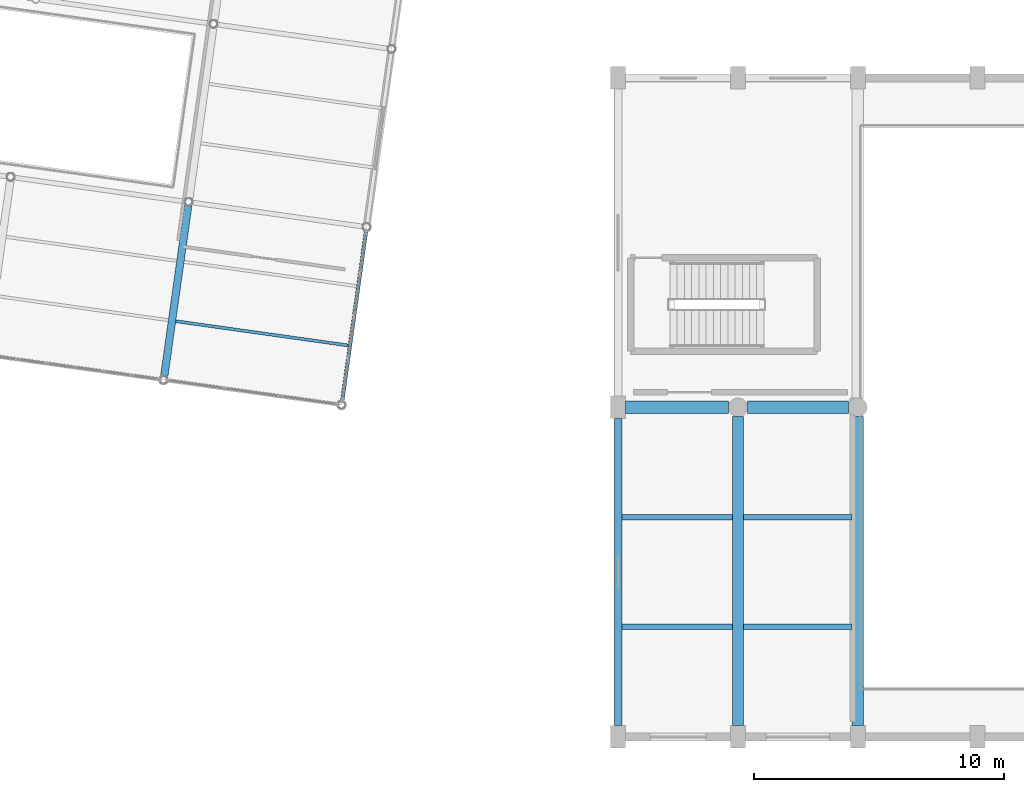
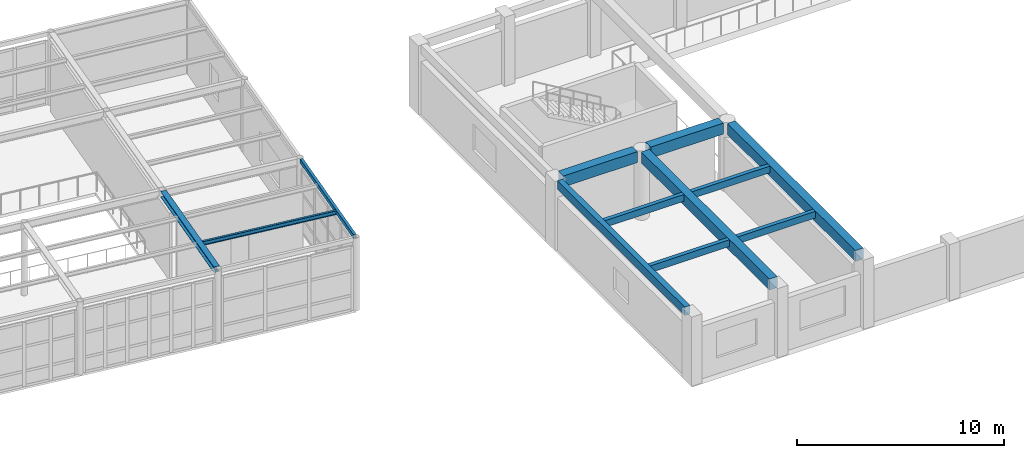
# One storey, part 34 of 80: 12 beams.
"""IFC4 building model written with IfcOpenShell, lengths in metres."""

from ifc_helpers import new_model, si_unit, direction, frame, origin, origin_2d, place, context, subcontext, project, spatial, rectangle, hollow_rectangle, i_section, extrude, material, material_profile, profile_set, type_object, element, save


model = new_model("IFC4")

# Units and contexts
model_context = context("Model", 3, precision=1e-05, world=origin(), true_north=direction((0.0, 1.0)))
body_context = subcontext(model_context, "Body", "Model", "MODEL_VIEW")
ifc_project = project(units=[si_unit("LENGTHUNIT", "METRE"), si_unit("AREAUNIT", "SQUARE_METRE"), si_unit("VOLUMEUNIT", "CUBIC_METRE"), si_unit("PLANEANGLEUNIT", "RADIAN"), si_unit("MASSUNIT", "GRAM", prefix="KILO")], contexts=[model_context])

# Site, building, storey
site_placement = place(None, origin())
site = spatial("IfcSite", under=ifc_project, at=site_placement, CompositionType="ELEMENT")
building_placement = place(site_placement, origin())
building = spatial("IfcBuilding", under=site, at=building_placement, Name="Kharisveld Research Institute", CompositionType="ELEMENT")
storey_placement = place(building_placement, frame((0.0, 0.0, 5.10009765625)))
storey = spatial("IfcBuildingStorey", under=building, at=storey_placement, Name="L01", CompositionType="ELEMENT", Elevation=5.10009765625)

# Beams
ifc_material_1 = material(Name="Concrete C40/50", Category="concrete")
ifc_material_profile_1 = material_profile(ifc_material_1, rectangle(XDim=0.449951171875, YDim=0.64990234375, at=origin_2d()))
ifc_profile_set_1 = profile_set([ifc_material_profile_1], Name="Concrete C40/50")
beam_type_1 = type_object("IfcBeamType", Name="BM_RC_450x650", PredefinedType="BEAM", material=ifc_profile_set_1)
for number, where, z_axis, x_axis, name in (
    (1, (119.39990234375, 0.64990234375, 3.7548828125), (0.0, 1.0, 0.0), (-1.0, 0.0, 0.0), "BM:V5:L01:V1_0"),
    (2, (124.199951171875, 0.64990234375, 3.7548828125), (0.0, 1.0, 0.0), (-1.0, 0.0, 0.0), "BM:V5:L01:V2_0"),
):
    element("IfcBeam", number, at=place(storey_placement, frame(where, z_axis=z_axis, x_axis=x_axis)), inside=storey, type_object=beam_type_1, Name=name, PredefinedType="BEAM", context=body_context, shape_type="SweptSolid", body=[
        extrude(rectangle(XDim=0.449951171875, YDim=0.64990234375, at=origin_2d()), origin(), (0.0, 0.0, 1.0), 12.375),
    ])
ifc_material_2 = material(Name="Concrete C40/50", Category="concrete")
ifc_material_profile_2 = material_profile(ifc_material_2, rectangle(XDim=0.5, YDim=0.64990234375, at=origin_2d()))
ifc_profile_set_2 = profile_set([ifc_material_profile_2], Name="Concrete C40/50")
beam_type_2 = type_object("IfcBeamType", Name="BM_RC_500x650", PredefinedType="BEAM", material=ifc_profile_set_2)
beam_1_placement = place(storey_placement, frame((114.89990234375, 13.39990234375, 3.7548828125), z_axis=(1.0, 0.0, 0.0), x_axis=(0.0, 1.0, 0.0)))
element("IfcBeam", 3, at=beam_1_placement, inside=storey, type_object=beam_type_2, Name="BM:V5:L01:U0_1", PredefinedType="BEAM", context=body_context, shape_type="SweptSolid", body=[
    extrude(rectangle(XDim=0.5, YDim=0.64990234375, at=origin_2d()), origin(), (0.0, 0.0, 1.0), 4.125),
])
beam_2_placement = place(storey_placement, frame((119.77490234375, 13.39990234375, 3.7548828125), z_axis=(1.0, 0.0, 0.0), x_axis=(0.0, 1.0, 0.0)))
element("IfcBeam", 4, at=beam_2_placement, inside=storey, type_object=beam_type_2, Name="BM:V5:L01:U1_1", PredefinedType="BEAM", context=body_context, shape_type="SweptSolid", body=[
    extrude(rectangle(XDim=0.5, YDim=0.64990234375, at=origin_2d()), origin(), (0.0, 0.0, 1.0), 4.050048828125),
])
ifc_material_3 = material(Name="Steel S355JR", Category="steel")
ifc_material_profile_3 = material_profile(ifc_material_3, i_section(OverallWidth=0.300048828125, OverallDepth=0.340087890625, WebThickness=0.011962890625, FlangeThickness=0.021484375, at=origin_2d()))
ifc_profile_set_3 = profile_set([ifc_material_profile_3], Name="Steel S355JR")
beam_type_3 = type_object("IfcBeamType", Name="BM_ST_HEA300", PredefinedType="BEAM", material=ifc_profile_set_3)
beam_3_placement = place(storey_placement, frame((96.412353515625, 14.654296875, 4.139892578125), z_axis=(0.139184107758, 0.990266521775, 0.0), x_axis=(-0.990266521775, 0.139184107758, 0.0)))
element("IfcBeam", 5, at=beam_3_placement, inside=storey, type_object=beam_type_3, Name="BM:V4:L01:V3_0", PredefinedType="BEAM", context=body_context, shape_type="SweptSolid", body=[
    extrude(i_section(OverallWidth=0.300048828125, OverallDepth=0.340087890625, WebThickness=0.011962890625, FlangeThickness=0.021484375, at=origin_2d()), origin(), (0.0, 0.0, 1.0), 6.8759765625),
])
ifc_material_4 = material(Name="Steel S355JR", Category="steel")
ifc_material_profile_4 = material_profile(ifc_material_4, i_section(OverallWidth=0.1201171875, OverallDepth=0.239990234375, WebThickness=0.006103515625, FlangeThickness=0.009765625, at=origin_2d()))
ifc_profile_set_4 = profile_set([ifc_material_profile_4], Name="Steel S355JR")
beam_type_4 = type_object("IfcBeamType", Name="JS_ST_IPE240", PredefinedType="JOIST", material=ifc_profile_set_4)
beam_4_placement = place(storey_placement, frame((96.872314453125, 16.849609375, 4.18994140625), z_axis=(0.990268943271, -0.139166878215, 0.0), x_axis=(0.139166878215, 0.990268943271, 0.0)))
element("IfcBeam", 6, at=beam_4_placement, inside=storey, type_object=beam_type_4, Name="BM:V4:L01:J_3_0_R1", PredefinedType="JOIST", context=body_context, shape_type="SweptSolid", body=[
    extrude(i_section(OverallWidth=0.1201171875, OverallDepth=0.239990234375, WebThickness=0.006103515625, FlangeThickness=0.009765625, at=origin_2d()), origin(), (0.0, 0.0, 1.0), 6.97509765625),
])
ifc_material_5 = material(Name="Concrete C40/50", Category="concrete")
ifc_material_profile_5 = material_profile(ifc_material_5, rectangle(XDim=0.300048828125, YDim=0.5, at=origin_2d()))
ifc_profile_set_5 = profile_set([ifc_material_profile_5], Name="Concrete C40/50")
beam_type_5 = type_object("IfcBeamType", Name="SP_RC_300x500", PredefinedType="SPANDREL", material=ifc_profile_set_5)
beam_5_placement = place(storey_placement, frame((114.60009765625, 0.64990234375, 3.829833984375), z_axis=(0.0, 1.0, 0.0), x_axis=(-1.0, 0.0, 0.0)))
element("IfcBeam", 7, at=beam_5_placement, inside=storey, type_object=beam_type_5, Name="BM:V5:L01:V0_0", PredefinedType="SPANDREL", context=body_context, shape_type="SweptSolid", body=[
    extrude(rectangle(XDim=0.300048828125, YDim=0.5, at=origin_2d()), origin(), (0.0, 0.0, 1.0), 12.300048828125),
])
ifc_material_6 = material(Name="Steel S355J2H", Category="steel")
ifc_material_profile_6 = material_profile(ifc_material_6, hollow_rectangle(XDim=0.14990234375, YDim=0.25, WallThickness=0.010009765625, at=origin_2d()))
ifc_profile_set_6 = profile_set([ifc_material_profile_6], Name="Steel S355J2H")
beam_type_6 = type_object("IfcBeamType", Name="SP_ST_RHS250", PredefinedType="SPANDREL", material=ifc_profile_set_6)
beam_6_placement = place(storey_placement, frame((103.542236328125, 13.652099609375, 4.184814453125), z_axis=(0.139179214138, 0.990267209571, 0.0), x_axis=(-0.990267209571, 0.139179214138, 0.0)))
element("IfcBeam", 8, at=beam_6_placement, inside=storey, type_object=beam_type_6, Name="BM:V4:L01:V4_0", PredefinedType="SPANDREL", context=body_context, shape_type="SweptSolid", body=[
    extrude(hollow_rectangle(XDim=0.14990234375, YDim=0.25, WallThickness=0.010009765625, at=origin_2d()), origin(), (0.0, 0.0, 1.0), 6.876220703125),
])
ifc_material_7 = material(Name="Concrete C40/50", Category="concrete")
ifc_material_profile_7 = material_profile(ifc_material_7, rectangle(XDim=0.219970703125, YDim=0.39990234375, at=origin_2d()))
ifc_profile_set_7 = profile_set([ifc_material_profile_7], Name="Concrete C40/50")
beam_type_7 = type_object("IfcBeamType", Name="WB_RC_220x400", PredefinedType="JOIST", material=ifc_profile_set_7)
for number, where, z_axis, x_axis, name in (
    (9, (114.75, 4.60009765625, 3.8798828125), (1.0, 0.0, 0.0), (0.0, 1.0, 0.0), "BM:V5:L01:J_0_0_R1"),
    (10, (114.75, 9.0, 3.8798828125), (1.0, 0.0, 0.0), (0.0, 1.0, 0.0), "BM:V5:L01:J_0_0_R2"),
):
    element("IfcBeam", number, at=place(storey_placement, frame(where, z_axis=z_axis, x_axis=x_axis)), inside=storey, type_object=beam_type_7, Name=name, PredefinedType="JOIST", context=body_context, shape_type="SweptSolid", body=[
        extrude(rectangle(XDim=0.219970703125, YDim=0.39990234375, at=origin_2d()), origin(), (0.0, 0.0, 1.0), 4.425048828125),
    ])
for number, where, z_axis, x_axis, name in (
    (11, (119.625, 4.60009765625, 3.8798828125), (1.0, 0.0, 0.0), (0.0, 1.0, 0.0), "BM:V5:L01:J_1_0_R1"),
    (12, (119.625, 9.0, 3.8798828125), (1.0, 0.0, 0.0), (0.0, 1.0, 0.0), "BM:V5:L01:J_1_0_R2"),
):
    element("IfcBeam", number, at=place(storey_placement, frame(where, z_axis=z_axis, x_axis=x_axis)), inside=storey, type_object=beam_type_7, Name=name, PredefinedType="JOIST", context=body_context, shape_type="SweptSolid", body=[
        extrude(rectangle(XDim=0.219970703125, YDim=0.39990234375, at=origin_2d()), origin(), (0.0, 0.0, 1.0), 4.35009765625),
    ])

save(model, "model.ifc")
